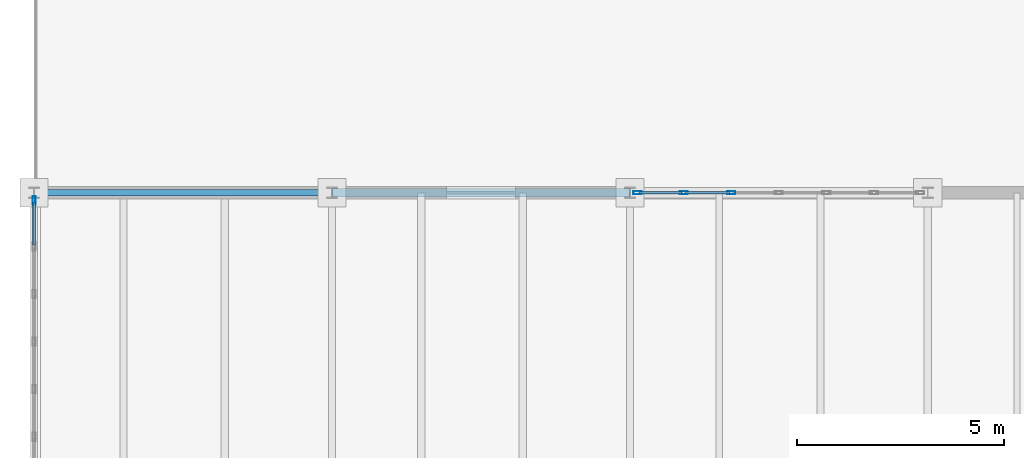
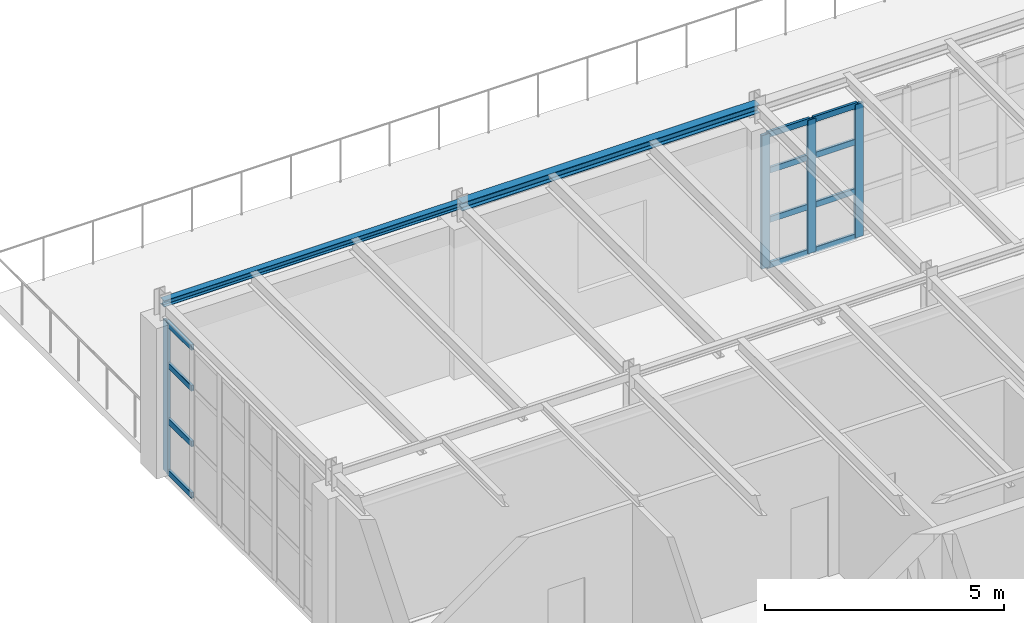
# One storey, part 26 of 36: 16 members, 2 beams, 2 elements without a shape of their own.
"""IFC4 building model written with IfcOpenShell, lengths in metres."""

from ifc_helpers import new_model, si_unit, direction, frame, origin, origin_2d, place, context, subcontext, project, spatial, hollow_rectangle, i_section, extrude, material, layer, layer_set, material_profile, profile_set, type_object, element, aggregate, save


model = new_model("IFC4")

# Units and contexts
model_context = context("Model", 3, precision=1e-05, world=origin(), true_north=direction((0.0, 1.0)))
body_context = subcontext(model_context, "Body", "Model", "MODEL_VIEW")
ifc_project = project(units=[si_unit("LENGTHUNIT", "METRE"), si_unit("AREAUNIT", "SQUARE_METRE"), si_unit("VOLUMEUNIT", "CUBIC_METRE"), si_unit("PLANEANGLEUNIT", "RADIAN"), si_unit("MASSUNIT", "GRAM", prefix="KILO")], contexts=[model_context])

# Site, building, storey
site_placement = place(None, origin())
site = spatial("IfcSite", under=ifc_project, at=site_placement, CompositionType="ELEMENT")
building_placement = place(site_placement, origin())
building = spatial("IfcBuilding", under=site, at=building_placement, Name="Kemerveld Promenade Tramway Depot", CompositionType="ELEMENT")
storey_placement = place(building_placement, frame((0.0, 0.0, 14.39990234375)))
storey = spatial("IfcBuildingStorey", under=building, at=storey_placement, Name="L03", CompositionType="ELEMENT", Elevation=14.39990234375)

# Beams
ifc_material_1 = material(Name="Steel S355", Category="steel")
ifc_material_profile_1 = material_profile(ifc_material_1, i_section(OverallWidth=0.154296875, OverallDepth=0.161865234375, WebThickness=0.008056640625, FlangeThickness=0.011474609375, FilletRadius=0.007568359375, at=origin_2d()), Name="152x152x37 UC")
ifc_profile_set_1 = profile_set([ifc_material_profile_1], Name="Steel S355")
beam_type_1 = type_object("IfcBeamType", Name="BM-LN2", PredefinedType="LINTEL", material=ifc_profile_set_1)
beam_1_placement = place(storey_placement, frame((0.0, 64.800048828125, 4.2041015625), z_axis=(1.0, 0.0, 0.0), x_axis=(0.0, 1.0, 0.0)))
element("IfcBeam", 1, at=beam_1_placement, inside=storey, type_object=beam_type_1, Name="BMX-L03-01-02-K", PredefinedType="LINTEL", context=body_context, shape_type="SweptSolid", body=[
    extrude(i_section(OverallWidth=0.154296875, OverallDepth=0.161865234375, WebThickness=0.008056640625, FlangeThickness=0.011474609375, FilletRadius=0.007568359375, at=origin_2d()), origin(), (0.0, 0.0, 1.0), 7.199951171875),
])
ifc_material_profile_2 = material_profile(ifc_material_1, i_section(OverallWidth=0.205810546875, OverallDepth=0.209716796875, WebThickness=0.009521484375, FlangeThickness=0.01416015625, FilletRadius=0.01025390625, at=origin_2d()), Name="203x203x60 UC")
ifc_profile_set_2 = profile_set([ifc_material_profile_2], Name="Steel S355")
beam_type_2 = type_object("IfcBeamType", Name="BM-LN3", PredefinedType="LINTEL", material=ifc_profile_set_2)
beam_2_placement = place(storey_placement, frame((7.199951171875, 64.800048828125, 4.18017578125), z_axis=(1.0, 0.0, 0.0), x_axis=(0.0, 1.0, 0.0)))
element("IfcBeam", 2, at=beam_2_placement, inside=storey, type_object=beam_type_2, Name="BMX-L03-02-03-K", PredefinedType="LINTEL", context=body_context, shape_type="SweptSolid", body=[
    extrude(i_section(OverallWidth=0.205810546875, OverallDepth=0.209716796875, WebThickness=0.009521484375, FlangeThickness=0.01416015625, FilletRadius=0.01025390625, at=origin_2d()), origin(), (0.0, 0.0, 1.0), 7.199951171875),
])

# Curtain wall, member
ifc_material_2 = material(Name="Bronze anodised aluminium and solar glass", Category="aluminium")
ifc_layer_1 = layer(ifc_material_2, 0.199951171875)
ifc_layer_set_1 = layer_set([ifc_layer_1], Name="CW-SYS-12")
curtain_wall_type_1 = type_object("IfcCurtainWallType", Name="CW-SYS-12", PredefinedType="USERDEFINED", material=ifc_layer_set_1)
curtain_wall_1_placement = place(storey_placement, origin())
curtain_wall_1 = element("IfcCurtainWall", 3, at=curtain_wall_1_placement, inside=storey, type_object=curtain_wall_type_1, Name="CW-L03-V5W-09", ObjectType="GLAZED_CURTAIN_WALL", PredefinedType="USERDEFINED")
ifc_material_3 = material(Name="Bronze anodised aluminium", Category="aluminium")
ifc_material_profile_3 = material_profile(ifc_material_3, hollow_rectangle(XDim=0.074951171875, YDim=0.199951171875, WallThickness=0.0048828125, InnerFilletRadius=0.001953125, OuterFilletRadius=0.0048828125, at=origin_2d()), Name="CW-MUL-200x75")
ifc_profile_set_3 = profile_set([ifc_material_profile_3], Name="Bronze anodised aluminium")
member_type_1 = type_object("IfcMemberType", Name="CW-MUL-B", PredefinedType="MULLION", material=ifc_profile_set_3)
member_1_placement = place(storey_placement, frame((0.0, 64.6123046875, 0.0), z_axis=(0.0, 0.0, 1.0), x_axis=(-1.0, 0.0, 0.0)))
member_1 = element("IfcMember", 4, at=member_1_placement, type_object=member_type_1, Name="CW12 mullion 7", PredefinedType="MULLION", context=body_context, shape_type="SweptSolid", body=[
    extrude(hollow_rectangle(XDim=0.074951171875, YDim=0.199951171875, WallThickness=0.0048828125, InnerFilletRadius=0.001953125, OuterFilletRadius=0.0048828125, at=origin_2d()), origin(), (0.0, 0.0, 1.0), 3.85009765625),
])

# Curtain wall, members
ifc_layer_2 = layer(ifc_material_2, 0.199951171875)
ifc_layer_set_2 = layer_set([ifc_layer_2], Name="CW-SYS-06")
curtain_wall_type_2 = type_object("IfcCurtainWallType", Name="CW-SYS-06", PredefinedType="USERDEFINED", material=ifc_layer_set_2)
curtain_wall_2_placement = place(storey_placement, origin())
curtain_wall_2 = element("IfcCurtainWall", 5, at=curtain_wall_2_placement, inside=storey, type_object=curtain_wall_type_2, Name="CW-L03-V5N-03", ObjectType="GLAZED_CURTAIN_WALL", PredefinedType="USERDEFINED")
member_2_placement = place(storey_placement, frame((14.587646484375, 64.800048828125, 0.0), z_axis=(0.0, 0.0, 1.0), x_axis=(0.0, 1.0, 0.0)))
member_2 = element("IfcMember", 6, at=member_2_placement, type_object=member_type_1, Name="CW06 mullion 1", PredefinedType="MULLION", context=body_context, shape_type="SweptSolid", body=[
    extrude(hollow_rectangle(XDim=0.074951171875, YDim=0.199951171875, WallThickness=0.0048828125, InnerFilletRadius=0.001953125, OuterFilletRadius=0.0048828125, at=origin_2d()), origin(), (0.0, 0.0, 1.0), 3.4140625),
])
member_3_placement = place(storey_placement, frame((15.7001953125, 64.800048828125, 0.0), z_axis=(0.0, 0.0, 1.0), x_axis=(0.0, 1.0, 0.0)))
member_3 = element("IfcMember", 7, at=member_3_placement, type_object=member_type_1, Name="CW06 mullion 2", PredefinedType="MULLION", context=body_context, shape_type="SweptSolid", body=[
    extrude(hollow_rectangle(XDim=0.074951171875, YDim=0.199951171875, WallThickness=0.0048828125, InnerFilletRadius=0.001953125, OuterFilletRadius=0.0048828125, at=origin_2d()), origin(), (0.0, 0.0, 1.0), 3.4140625),
])
member_4_placement = place(storey_placement, frame((16.85009765625, 64.800048828125, 0.0), z_axis=(0.0, 0.0, 1.0), x_axis=(0.0, 1.0, 0.0)))
member_4 = element("IfcMember", 8, at=member_4_placement, type_object=member_type_1, Name="CW06 mullion 3", PredefinedType="MULLION", context=body_context, shape_type="SweptSolid", body=[
    extrude(hollow_rectangle(XDim=0.074951171875, YDim=0.199951171875, WallThickness=0.0048828125, InnerFilletRadius=0.001953125, OuterFilletRadius=0.0048828125, at=origin_2d()), origin(), (0.0, 0.0, 1.0), 3.4140625),
])

# Member
ifc_material_profile_4 = material_profile(ifc_material_3, hollow_rectangle(XDim=0.06494140625, YDim=0.14990234375, WallThickness=0.00439453125, InnerFilletRadius=0.001953125, OuterFilletRadius=0.00439453125, at=origin_2d()), Name="CW-TRN-150x65")
ifc_profile_set_4 = profile_set([ifc_material_profile_4], Name="Bronze anodised aluminium")
member_type_2 = type_object("IfcMemberType", Name="CW-TRN-B", PredefinedType="USERDEFINED", material=ifc_profile_set_4)
member_5_placement = place(storey_placement, frame((0.0, 63.537353515625, 0.03271484375), z_axis=(0.0, 1.0, 0.0), x_axis=(-1.0, 0.0, 0.0)))
member_5 = element("IfcMember", 9, at=member_5_placement, type_object=member_type_2, Name="CW12 transom 6.1", ObjectType="TRANSOM", PredefinedType="USERDEFINED", context=body_context, shape_type="SweptSolid", body=[
    extrude(hollow_rectangle(XDim=0.06494140625, YDim=0.14990234375, WallThickness=0.00439453125, InnerFilletRadius=0.001953125, OuterFilletRadius=0.00439453125, at=origin_2d()), origin(), (0.0, 0.0, 1.0), 1.03759765625),
])

member_6_placement = place(storey_placement, frame((0.0, 63.537353515625, 1.34814453125), z_axis=(0.0, 1.0, 0.0), x_axis=(-1.0, 0.0, 0.0)))
member_6 = element("IfcMember", 10, at=member_6_placement, type_object=member_type_2, Name="CW12 transom 6.2", ObjectType="TRANSOM", PredefinedType="USERDEFINED", context=body_context, shape_type="SweptSolid", body=[
    extrude(hollow_rectangle(XDim=0.06494140625, YDim=0.14990234375, WallThickness=0.00439453125, InnerFilletRadius=0.001953125, OuterFilletRadius=0.00439453125, at=origin_2d()), origin(), (0.0, 0.0, 1.0), 1.03759765625),
])

member_7_placement = place(storey_placement, frame((0.0, 63.537353515625, 2.772216796875), z_axis=(0.0, 1.0, 0.0), x_axis=(-1.0, 0.0, 0.0)))
member_7 = element("IfcMember", 11, at=member_7_placement, type_object=member_type_2, Name="CW12 transom 6.3", ObjectType="TRANSOM", PredefinedType="USERDEFINED", context=body_context, shape_type="SweptSolid", body=[
    extrude(hollow_rectangle(XDim=0.06494140625, YDim=0.14990234375, WallThickness=0.00439453125, InnerFilletRadius=0.001953125, OuterFilletRadius=0.00439453125, at=origin_2d()), origin(), (0.0, 0.0, 1.0), 1.03759765625),
])

member_8_placement = place(storey_placement, frame((0.0, 63.537353515625, 3.817626953125), z_axis=(0.0, 1.0, 0.0), x_axis=(-1.0, 0.0, 0.0)))
member_8 = element("IfcMember", 12, at=member_8_placement, type_object=member_type_2, Name="CW12 transom 6.4", ObjectType="TRANSOM", PredefinedType="USERDEFINED", context=body_context, shape_type="SweptSolid", body=[
    extrude(hollow_rectangle(XDim=0.06494140625, YDim=0.14990234375, WallThickness=0.00439453125, InnerFilletRadius=0.001953125, OuterFilletRadius=0.00439453125, at=origin_2d()), origin(), (0.0, 0.0, 1.0), 1.03759765625),
])

aggregate(curtain_wall_1, [member_1, member_5, member_6, member_7, member_8])

member_9_placement = place(storey_placement, frame((14.625244140625, 64.800048828125, 0.03271484375), z_axis=(1.0, 0.0, 0.0), x_axis=(0.0, 1.0, 0.0)))
member_9 = element("IfcMember", 13, at=member_9_placement, type_object=member_type_2, Name="CW06 transom 1.1", ObjectType="TRANSOM", PredefinedType="USERDEFINED", context=body_context, shape_type="SweptSolid", body=[
    extrude(hollow_rectangle(XDim=0.06494140625, YDim=0.14990234375, WallThickness=0.00439453125, InnerFilletRadius=0.001953125, OuterFilletRadius=0.00439453125, at=origin_2d()), origin(), (0.0, 0.0, 1.0), 1.037353515625),
])

member_10_placement = place(storey_placement, frame((14.625244140625, 64.800048828125, 1.195068359375), z_axis=(1.0, 0.0, 0.0), x_axis=(0.0, 1.0, 0.0)))
member_10 = element("IfcMember", 14, at=member_10_placement, type_object=member_type_2, Name="CW06 transom 1.2", ObjectType="TRANSOM", PredefinedType="USERDEFINED", context=body_context, shape_type="SweptSolid", body=[
    extrude(hollow_rectangle(XDim=0.06494140625, YDim=0.14990234375, WallThickness=0.00439453125, InnerFilletRadius=0.001953125, OuterFilletRadius=0.00439453125, at=origin_2d()), origin(), (0.0, 0.0, 1.0), 1.037353515625),
])

member_11_placement = place(storey_placement, frame((14.625244140625, 64.800048828125, 2.4580078125), z_axis=(1.0, 0.0, 0.0), x_axis=(0.0, 1.0, 0.0)))
member_11 = element("IfcMember", 15, at=member_11_placement, type_object=member_type_2, Name="CW06 transom 1.3", ObjectType="TRANSOM", PredefinedType="USERDEFINED", context=body_context, shape_type="SweptSolid", body=[
    extrude(hollow_rectangle(XDim=0.06494140625, YDim=0.14990234375, WallThickness=0.00439453125, InnerFilletRadius=0.001953125, OuterFilletRadius=0.00439453125, at=origin_2d()), origin(), (0.0, 0.0, 1.0), 1.037353515625),
])

member_12_placement = place(storey_placement, frame((14.625244140625, 64.800048828125, 3.381591796875), z_axis=(1.0, 0.0, 0.0), x_axis=(0.0, 1.0, 0.0)))
member_12 = element("IfcMember", 16, at=member_12_placement, type_object=member_type_2, Name="CW06 transom 1.4", ObjectType="TRANSOM", PredefinedType="USERDEFINED", context=body_context, shape_type="SweptSolid", body=[
    extrude(hollow_rectangle(XDim=0.06494140625, YDim=0.14990234375, WallThickness=0.00439453125, InnerFilletRadius=0.001953125, OuterFilletRadius=0.00439453125, at=origin_2d()), origin(), (0.0, 0.0, 1.0), 1.037353515625),
])

member_13_placement = place(storey_placement, frame((15.737548828125, 64.800048828125, 0.03271484375), z_axis=(1.0, 0.0, 0.0), x_axis=(0.0, 1.0, 0.0)))
member_13 = element("IfcMember", 17, at=member_13_placement, type_object=member_type_2, Name="CW06 transom 2.1", ObjectType="TRANSOM", PredefinedType="USERDEFINED", context=body_context, shape_type="SweptSolid", body=[
    extrude(hollow_rectangle(XDim=0.06494140625, YDim=0.14990234375, WallThickness=0.00439453125, InnerFilletRadius=0.001953125, OuterFilletRadius=0.00439453125, at=origin_2d()), origin(), (0.0, 0.0, 1.0), 1.074951171875),
])

member_14_placement = place(storey_placement, frame((15.737548828125, 64.800048828125, 1.195068359375), z_axis=(1.0, 0.0, 0.0), x_axis=(0.0, 1.0, 0.0)))
member_14 = element("IfcMember", 18, at=member_14_placement, type_object=member_type_2, Name="CW06 transom 2.2", ObjectType="TRANSOM", PredefinedType="USERDEFINED", context=body_context, shape_type="SweptSolid", body=[
    extrude(hollow_rectangle(XDim=0.06494140625, YDim=0.14990234375, WallThickness=0.00439453125, InnerFilletRadius=0.001953125, OuterFilletRadius=0.00439453125, at=origin_2d()), origin(), (0.0, 0.0, 1.0), 1.074951171875),
])

member_15_placement = place(storey_placement, frame((15.737548828125, 64.800048828125, 2.4580078125), z_axis=(1.0, 0.0, 0.0), x_axis=(0.0, 1.0, 0.0)))
member_15 = element("IfcMember", 19, at=member_15_placement, type_object=member_type_2, Name="CW06 transom 2.3", ObjectType="TRANSOM", PredefinedType="USERDEFINED", context=body_context, shape_type="SweptSolid", body=[
    extrude(hollow_rectangle(XDim=0.06494140625, YDim=0.14990234375, WallThickness=0.00439453125, InnerFilletRadius=0.001953125, OuterFilletRadius=0.00439453125, at=origin_2d()), origin(), (0.0, 0.0, 1.0), 1.074951171875),
])

member_16_placement = place(storey_placement, frame((15.737548828125, 64.800048828125, 3.381591796875), z_axis=(1.0, 0.0, 0.0), x_axis=(0.0, 1.0, 0.0)))
member_16 = element("IfcMember", 20, at=member_16_placement, type_object=member_type_2, Name="CW06 transom 2.4", ObjectType="TRANSOM", PredefinedType="USERDEFINED", context=body_context, shape_type="SweptSolid", body=[
    extrude(hollow_rectangle(XDim=0.06494140625, YDim=0.14990234375, WallThickness=0.00439453125, InnerFilletRadius=0.001953125, OuterFilletRadius=0.00439453125, at=origin_2d()), origin(), (0.0, 0.0, 1.0), 1.074951171875),
])

aggregate(curtain_wall_2, [member_2, member_3, member_4, member_9, member_10, member_11, member_12, member_13, member_14, member_15, member_16])

save(model, "model.ifc")
